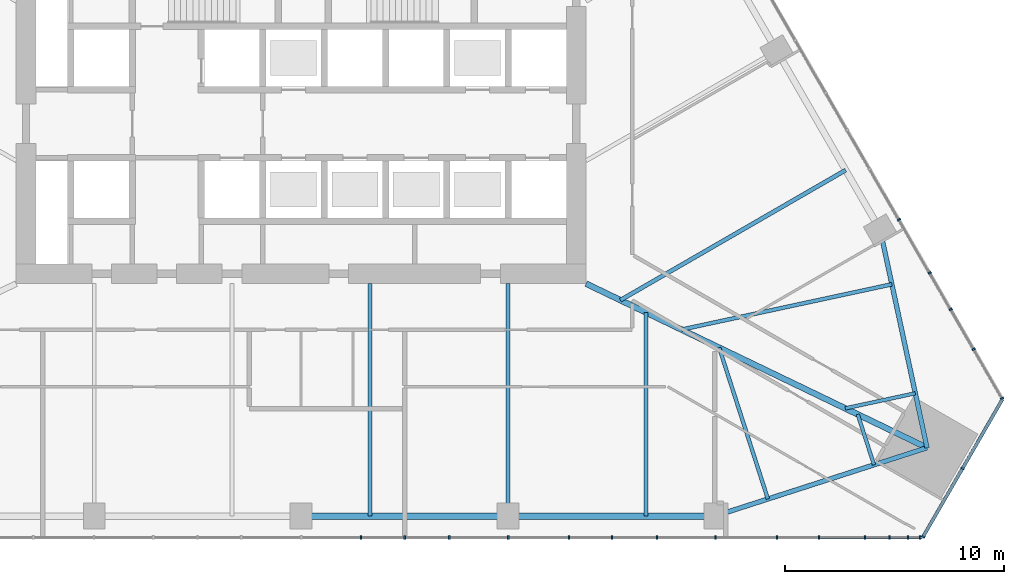
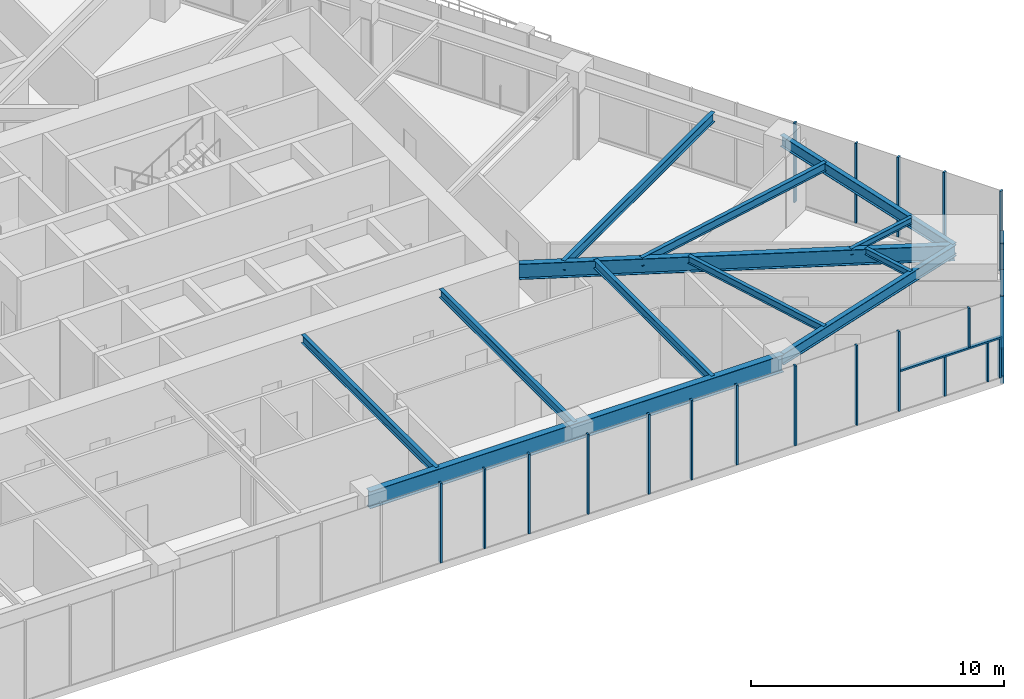
# One storey, part 6 of 25: 26 members, 12 beams, 3 elements without a shape of their own.
"""IFC4 building model written with IfcOpenShell, lengths in metres."""

from ifc_helpers import new_model, si_unit, direction, frame, origin, origin_2d, place, context, subcontext, project, spatial, rectangle, i_section, extrude, material, layer, layer_set, material_profile, profile_set, type_object, element, aggregate, save


model = new_model("IFC4")

# Units and contexts
model_context = context("Model", 3, precision=1e-05, world=origin(), true_north=direction((0.0, 1.0)))
body_context = subcontext(model_context, "Body", "Model", "MODEL_VIEW")
ifc_project = project(units=[si_unit("LENGTHUNIT", "METRE"), si_unit("AREAUNIT", "SQUARE_METRE"), si_unit("VOLUMEUNIT", "CUBIC_METRE"), si_unit("PLANEANGLEUNIT", "RADIAN"), si_unit("MASSUNIT", "GRAM", prefix="KILO")], contexts=[model_context])

# Site, building, storey
site_placement = place(None, origin())
site = spatial("IfcSite", under=ifc_project, at=site_placement, CompositionType="ELEMENT")
building_placement = place(site_placement, origin())
building = spatial("IfcBuilding", under=site, at=building_placement, Name="Firuza Gate Tower and Library", CompositionType="ELEMENT")
storey_placement = place(building_placement, frame((0.0, 0.0, 86.199951171875)))
storey = spatial("IfcBuildingStorey", under=building, at=storey_placement, Name="L19", CompositionType="ELEMENT", Elevation=86.199951171875)

# Curtain wall, members
ifc_material_1 = material(Name="Aluminium 6063-T6", Category="aluminium")
ifc_layer_1 = layer(ifc_material_1, 0.14990234375)
ifc_layer_set_1 = layer_set([ifc_layer_1], Name="Unitised curtain wall, offices")
curtain_wall_type_1 = type_object("IfcCurtainWallType", Name="Unitised curtain wall, offices", PredefinedType="NOTDEFINED", material=ifc_layer_set_1)
placement = place(storey_placement, origin())
curtain_wall_1 = element("IfcCurtainWall", 1, at=placement, inside=storey, type_object=curtain_wall_type_1, Name="CW1 L19 S face", PredefinedType="NOTDEFINED")
ifc_material_2 = material(Name="Aluminium 6063-T6", Category="aluminium")
ifc_material_profile_1 = material_profile(ifc_material_2, rectangle(XDim=0.14990234375, YDim=0.080078125, at=origin_2d()))
ifc_profile_set_1 = profile_set([ifc_material_profile_1], Name="Aluminium 6063-T6")
member_type_1 = type_object("IfcMemberType", Name="Curtain wall mullion 80x150", PredefinedType="MULLION", material=ifc_profile_set_1)
member_1_placement = place(storey_placement, frame((79.725341796875, 54.42431640625, 0.150146484375), z_axis=(0.0, 0.0, 1.0), x_axis=(0.0, 1.0, 0.0)))
member_1 = element("IfcMember", 2, at=member_1_placement, type_object=member_type_1, Name="Mullion", PredefinedType="MULLION", context=body_context, shape_type="SweptSolid", body=[
    extrude(rectangle(XDim=0.14990234375, YDim=0.080078125, at=origin_2d()), origin(), (0.0, 0.0, 1.0), 3.849853515625),
])
member_2_placement = place(storey_placement, frame((84.45068359375, 54.42431640625, 0.150146484375), z_axis=(0.0, 0.0, 1.0), x_axis=(0.0, 1.0, 0.0)))
member_2 = element("IfcMember", 3, at=member_2_placement, type_object=member_type_1, Name="Mullion", PredefinedType="MULLION", context=body_context, shape_type="SweptSolid", body=[
    extrude(rectangle(XDim=0.14990234375, YDim=0.080078125, at=origin_2d()), origin(), (0.0, 0.0, 1.0), 3.849853515625),
])
member_3_placement = place(storey_placement, frame((89.17578125, 54.42431640625, 0.150146484375), z_axis=(0.0, 0.0, 1.0), x_axis=(0.0, 1.0, 0.0)))
member_3 = element("IfcMember", 4, at=member_3_placement, type_object=member_type_1, Name="Mullion", PredefinedType="MULLION", context=body_context, shape_type="SweptSolid", body=[
    extrude(rectangle(XDim=0.14990234375, YDim=0.080078125, at=origin_2d()), origin(), (0.0, 0.0, 1.0), 3.849853515625),
])
member_4_placement = place(storey_placement, frame((93.901123046875, 54.42431640625, 0.150146484375), z_axis=(0.0, 0.0, 1.0), x_axis=(0.0, 1.0, 0.0)))
member_4 = element("IfcMember", 5, at=member_4_placement, type_object=member_type_1, Name="Mullion", PredefinedType="MULLION", context=body_context, shape_type="SweptSolid", body=[
    extrude(rectangle(XDim=0.14990234375, YDim=0.080078125, at=origin_2d()), origin(), (0.0, 0.0, 1.0), 3.849853515625),
])
member_5_placement = place(storey_placement, frame((98.62646484375, 54.42431640625, 0.150146484375), z_axis=(0.0, 0.0, 1.0), x_axis=(0.0, 1.0, 0.0)))
member_5 = element("IfcMember", 6, at=member_5_placement, type_object=member_type_1, Name="Mullion", PredefinedType="MULLION", context=body_context, shape_type="SweptSolid", body=[
    extrude(rectangle(XDim=0.14990234375, YDim=0.080078125, at=origin_2d()), origin(), (0.0, 0.0, 1.0), 3.849853515625),
])
member_6_placement = place(storey_placement, frame((77.733642578125, 54.42431640625, 0.150146484375), z_axis=(0.0, 0.0, 1.0), x_axis=(0.0, 1.0, 0.0)))
member_6 = element("IfcMember", 7, at=member_6_placement, type_object=member_type_1, Name="Mullion", PredefinedType="MULLION", context=body_context, shape_type="SweptSolid", body=[
    extrude(rectangle(XDim=0.14990234375, YDim=0.080078125, at=origin_2d()), origin(), (0.0, 0.0, 1.0), 3.849853515625),
])
member_7_placement = place(storey_placement, frame((81.751708984375, 54.42431640625, 0.150146484375), z_axis=(0.0, 0.0, 1.0), x_axis=(0.0, 1.0, 0.0)))
member_7 = element("IfcMember", 8, at=member_7_placement, type_object=member_type_1, Name="Mullion", PredefinedType="MULLION", context=body_context, shape_type="SweptSolid", body=[
    extrude(rectangle(XDim=0.14990234375, YDim=0.080078125, at=origin_2d()), origin(), (0.0, 0.0, 1.0), 3.849853515625),
])
member_8_placement = place(storey_placement, frame((87.21875, 54.42431640625, 0.150146484375), z_axis=(0.0, 0.0, 1.0), x_axis=(0.0, 1.0, 0.0)))
member_8 = element("IfcMember", 9, at=member_8_placement, type_object=member_type_1, Name="Mullion", PredefinedType="MULLION", context=body_context, shape_type="SweptSolid", body=[
    extrude(rectangle(XDim=0.14990234375, YDim=0.080078125, at=origin_2d()), origin(), (0.0, 0.0, 1.0), 3.849853515625),
])
member_9_placement = place(storey_placement, frame((91.237060546875, 54.42431640625, 0.150146484375), z_axis=(0.0, 0.0, 1.0), x_axis=(0.0, 1.0, 0.0)))
member_9 = element("IfcMember", 10, at=member_9_placement, type_object=member_type_1, Name="Mullion", PredefinedType="MULLION", context=body_context, shape_type="SweptSolid", body=[
    extrude(rectangle(XDim=0.14990234375, YDim=0.080078125, at=origin_2d()), origin(), (0.0, 0.0, 1.0), 3.849853515625),
])
member_10_placement = place(storey_placement, frame((96.7041015625, 54.42431640625, 0.150146484375), z_axis=(0.0, 0.0, 1.0), x_axis=(0.0, 1.0, 0.0)))
member_10 = element("IfcMember", 11, at=member_10_placement, type_object=member_type_1, Name="Mullion", PredefinedType="MULLION", context=body_context, shape_type="SweptSolid", body=[
    extrude(rectangle(XDim=0.14990234375, YDim=0.080078125, at=origin_2d()), origin(), (0.0, 0.0, 1.0), 3.849853515625),
])
member_11_placement = place(storey_placement, frame((100.722412109375, 54.42431640625, 0.150146484375), z_axis=(0.0, 0.0, 1.0), x_axis=(0.0, 1.0, 0.0)))
member_11 = element("IfcMember", 12, at=member_11_placement, type_object=member_type_1, Name="Mullion", PredefinedType="MULLION", context=body_context, shape_type="SweptSolid", body=[
    extrude(rectangle(XDim=0.14990234375, YDim=0.080078125, at=origin_2d()), origin(), (0.0, 0.0, 1.0), 1.885009765625),
])
member_12_placement = place(storey_placement, frame((102.680419921875, 54.42431640625, 0.150146484375), z_axis=(0.0, 0.0, 1.0), x_axis=(0.0, 1.0, 0.0)))
member_12 = element("IfcMember", 13, at=member_12_placement, type_object=member_type_1, Name="Mullion", PredefinedType="MULLION", context=body_context, shape_type="SweptSolid", body=[
    extrude(rectangle(XDim=0.14990234375, YDim=0.080078125, at=origin_2d()), origin(), (0.0, 0.0, 1.0), 1.885009765625),
])
member_13_placement = place(storey_placement, frame((103.233154296875, 54.42431640625, 0.150146484375), z_axis=(0.0, 0.0, 1.0), x_axis=(0.0, 1.0, 0.0)))
member_13 = element("IfcMember", 14, at=member_13_placement, type_object=member_type_1, Name="Mullion", PredefinedType="MULLION", context=body_context, shape_type="SweptSolid", body=[
    extrude(rectangle(XDim=0.14990234375, YDim=0.080078125, at=origin_2d()), origin(), (0.0, 0.0, 1.0), 1.885009765625),
])
member_14_placement = place(storey_placement, frame((101.831787109375, 54.42431640625, 2.114990234375), z_axis=(0.0, 0.0, 1.0), x_axis=(0.0, 1.0, 0.0)))
member_14 = element("IfcMember", 15, at=member_14_placement, type_object=member_type_1, Name="Mullion", PredefinedType="MULLION", context=body_context, shape_type="SweptSolid", body=[
    extrude(rectangle(XDim=0.14990234375, YDim=0.080078125, at=origin_2d()), origin(), (0.0, 0.0, 1.0), 1.885009765625),
])

ifc_material_3 = material(Name="Aluminium 6063-T6", Category="aluminium")
ifc_layer_2 = layer(ifc_material_3, 0.14990234375)
ifc_layer_set_2 = layer_set([ifc_layer_2], Name="Corner curtain wall, chamfers")
curtain_wall_type_2 = type_object("IfcCurtainWallType", Name="Corner curtain wall, chamfers", PredefinedType="NOTDEFINED", material=ifc_layer_set_2)
curtain_wall_2 = element("IfcCurtainWall", 16, at=placement, inside=storey, type_object=curtain_wall_type_2, Name="CW4 L19 SE corner", PredefinedType="NOTDEFINED")
member_15_placement = place(storey_placement, frame((103.371826171875, 54.458740234375, 0.150146484375), z_axis=(0.0, 0.0, 1.0), x_axis=(-0.866025403784, 0.5, 0.0)))
member_15 = element("IfcMember", 17, at=member_15_placement, type_object=member_type_1, Name="Mullion", PredefinedType="MULLION", context=body_context, shape_type="SweptSolid", body=[
    extrude(rectangle(XDim=0.14990234375, YDim=0.080078125, at=origin_2d()), origin(), (0.0, 0.0, 1.0), 3.849853515625),
])
member_16_placement = place(storey_placement, frame((105.17333984375, 57.579345703125, 0.150146484375), z_axis=(0.0, 0.0, 1.0), x_axis=(-0.866025403784, 0.5, 0.0)))
member_16 = element("IfcMember", 18, at=member_16_placement, type_object=member_type_1, Name="Mullion", PredefinedType="MULLION", context=body_context, shape_type="SweptSolid", body=[
    extrude(rectangle(XDim=0.14990234375, YDim=0.080078125, at=origin_2d()), origin(), (0.0, 0.0, 1.0), 3.849853515625),
])

curtain_wall_3 = element("IfcCurtainWall", 19, at=placement, inside=storey, type_object=curtain_wall_type_1, Name="CW1 L19 E face", PredefinedType="NOTDEFINED")
member_17_placement = place(storey_placement, frame((106.97509765625, 60.769287109375, 0.150146484375), z_axis=(0.0, 0.0, 1.0), x_axis=(-0.866025403784, -0.5, 0.0)))
member_17 = element("IfcMember", 20, at=member_17_placement, type_object=member_type_1, Name="Mullion", PredefinedType="MULLION", context=body_context, shape_type="SweptSolid", body=[
    extrude(rectangle(XDim=0.14990234375, YDim=0.080078125, at=origin_2d()), origin(), (0.0, 0.0, 1.0), 3.849853515625),
])
member_18_placement = place(storey_placement, frame((104.63232421875, 64.826904296875, 0.150146484375), z_axis=(0.0, 0.0, 1.0), x_axis=(-0.866025403784, -0.5, 0.0)))
member_18 = element("IfcMember", 21, at=member_18_placement, type_object=member_type_1, Name="Mullion", PredefinedType="MULLION", context=body_context, shape_type="SweptSolid", body=[
    extrude(rectangle(XDim=0.14990234375, YDim=0.080078125, at=origin_2d()), origin(), (0.0, 0.0, 1.0), 3.849853515625),
])
member_19_placement = place(storey_placement, frame((102.269775390625, 68.9189453125, 0.150146484375), z_axis=(0.0, 0.0, 1.0), x_axis=(-0.866025403784, -0.5, 0.0)))
member_19 = element("IfcMember", 22, at=member_19_placement, type_object=member_type_1, Name="Mullion", PredefinedType="MULLION", context=body_context, shape_type="SweptSolid", body=[
    extrude(rectangle(XDim=0.14990234375, YDim=0.080078125, at=origin_2d()), origin(), (0.0, 0.0, 1.0), 3.849853515625),
])
member_20_placement = place(storey_placement, frame((105.680419921875, 63.01171875, 0.150146484375), z_axis=(0.0, 0.0, 1.0), x_axis=(-0.866025403784, -0.5, 0.0)))
member_20 = element("IfcMember", 23, at=member_20_placement, type_object=member_type_1, Name="Mullion", PredefinedType="MULLION", context=body_context, shape_type="SweptSolid", body=[
    extrude(rectangle(XDim=0.14990234375, YDim=0.080078125, at=origin_2d()), origin(), (0.0, 0.0, 1.0), 3.849853515625),
])
member_21_placement = place(storey_placement, frame((103.671142578125, 66.491455078125, 0.150146484375), z_axis=(0.0, 0.0, 1.0), x_axis=(-0.866025403784, -0.5, 0.0)))
member_21 = element("IfcMember", 24, at=member_21_placement, type_object=member_type_1, Name="Mullion", PredefinedType="MULLION", context=body_context, shape_type="SweptSolid", body=[
    extrude(rectangle(XDim=0.14990234375, YDim=0.080078125, at=origin_2d()), origin(), (0.0, 0.0, 1.0), 3.849853515625),
])
aggregate(curtain_wall_3, [member_17, member_18, member_19, member_20, member_21])

# Member
ifc_material_4 = material(Name="Aluminium 6063-T6", Category="aluminium")
ifc_material_profile_2 = material_profile(ifc_material_4, rectangle(XDim=0.14990234375, YDim=0.35009765625, at=origin_2d()))
ifc_profile_set_2 = profile_set([ifc_material_profile_2], Name="Aluminium 6063-T6")
member_type_2 = type_object("IfcMemberType", Name="Curtain wall transom 350x150", PredefinedType="USERDEFINED", material=ifc_profile_set_2)
member_22_placement = place(storey_placement, frame((103.351806640625, 54.42431640625, -0.02490234375), z_axis=(0.500005719219, 0.866022101766, 0.0), x_axis=(-0.866022101766, 0.500005719219, 0.0)))
member_22 = element("IfcMember", 25, at=member_22_placement, type_object=member_type_2, Name="Transom", ObjectType="TRANSOM", PredefinedType="USERDEFINED", context=body_context, shape_type="SweptSolid", body=[
    extrude(rectangle(XDim=0.14990234375, YDim=0.35009765625, at=origin_2d()), origin(), (0.0, 0.0, 1.0), 7.28662109375),
])

ifc_material_5 = material(Name="Aluminium 6063-T6", Category="aluminium")
ifc_material_profile_3 = material_profile(ifc_material_5, rectangle(XDim=0.14990234375, YDim=0.080078125, at=origin_2d()))
ifc_profile_set_3 = profile_set([ifc_material_profile_3], Name="Aluminium 6063-T6")
member_type_3 = type_object("IfcMemberType", Name="Curtain wall transom 80x150", PredefinedType="USERDEFINED", material=ifc_profile_set_3)
member_23_placement = place(storey_placement, frame((98.66650390625, 54.42431640625, 2.074951171875), z_axis=(1.0, 0.0, 0.0), x_axis=(0.0, 1.0, 0.0)))
member_23 = element("IfcMember", 26, at=member_23_placement, type_object=member_type_3, Name="Transom", ObjectType="TRANSOM", PredefinedType="USERDEFINED", context=body_context, shape_type="SweptSolid", body=[
    extrude(rectangle(XDim=0.14990234375, YDim=0.080078125, at=origin_2d()), origin(), (0.0, 0.0, 1.0), 4.645263671875),
])

aggregate(curtain_wall_1, [member_1, member_2, member_3, member_4, member_5, member_6, member_7, member_8, member_9, member_10, member_11, member_12, member_13, member_14, member_23])

member_24_placement = place(storey_placement, frame((103.371826171875, 54.458740234375, 1.449951171875), z_axis=(0.49996364809, 0.866046390552, 0.0), x_axis=(-0.866046390552, 0.49996364809, 0.0)))
member_24 = element("IfcMember", 27, at=member_24_placement, type_object=member_type_3, Name="Transom", ObjectType="TRANSOM", PredefinedType="USERDEFINED", context=body_context, shape_type="SweptSolid", body=[
    extrude(rectangle(XDim=0.14990234375, YDim=0.080078125, at=origin_2d()), origin(), (0.0, 0.0, 1.0), 3.563232421875),
])

member_25_placement = place(storey_placement, frame((103.371826171875, 54.458740234375, 2.72509765625), z_axis=(0.49996364809, 0.866046390552, 0.0), x_axis=(-0.866046390552, 0.49996364809, 0.0)))
member_25 = element("IfcMember", 28, at=member_25_placement, type_object=member_type_3, Name="Transom", ObjectType="TRANSOM", PredefinedType="USERDEFINED", context=body_context, shape_type="SweptSolid", body=[
    extrude(rectangle(XDim=0.14990234375, YDim=0.080078125, at=origin_2d()), origin(), (0.0, 0.0, 1.0), 3.563232421875),
])

member_26_placement = place(storey_placement, frame((105.193359375, 57.614013671875, 2.074951171875), z_axis=(0.500015035186, 0.866016723041, 0.0), x_axis=(-0.866016723041, 0.500015035186, 0.0)))
member_26 = element("IfcMember", 29, at=member_26_placement, type_object=member_type_3, Name="Transom", ObjectType="TRANSOM", PredefinedType="USERDEFINED", context=body_context, shape_type="SweptSolid", body=[
    extrude(rectangle(XDim=0.14990234375, YDim=0.080078125, at=origin_2d()), origin(), (0.0, 0.0, 1.0), 3.5634765625),
])

aggregate(curtain_wall_2, [member_15, member_16, member_22, member_24, member_25, member_26])

# Beams
ifc_material_6 = material(Name="Steel S355", Category="steel")
ifc_material_profile_4 = material_profile(ifc_material_6, i_section(OverallWidth=0.1650390625, OverallDepth=0.31005859375, WebThickness=0.005859375, FlangeThickness=0.009765625, at=origin_2d()))
ifc_profile_set_4 = profile_set([ifc_material_profile_4], Name="Steel S355")
beam_type_1 = type_object("IfcBeamType", Name="W310x39 Floor beam", PredefinedType="JOIST", material=ifc_profile_set_4)
beam_1_placement = place(storey_placement, frame((101.13037109375, 57.737548828125, 3.844970703125), z_axis=(-0.306695801179, 0.951807588507, 0.0), x_axis=(-0.951807588507, -0.306695801179, 0.0)))
element("IfcBeam", 30, at=beam_1_placement, inside=storey, type_object=beam_type_1, Name="Floor beam L19 s31", PredefinedType="JOIST", context=body_context, shape_type="SweptSolid", body=[
    extrude(i_section(OverallWidth=0.1650390625, OverallDepth=0.31005859375, WebThickness=0.005859375, FlangeThickness=0.009765625, at=origin_2d()), origin(), (0.0, 0.0, 1.0), 2.416748046875),
])
beam_2_placement = place(storey_placement, frame((103.014892578125, 61.001708984375, 3.844970703125), z_axis=(-0.977627361997, -0.210344339297, 0.0), x_axis=(0.210344339297, -0.977627361997, 0.0)))
element("IfcBeam", 31, at=beam_2_placement, inside=storey, type_object=beam_type_1, Name="Floor beam L19 s40", PredefinedType="JOIST", context=body_context, shape_type="SweptSolid", body=[
    extrude(i_section(OverallWidth=0.1650390625, OverallDepth=0.31005859375, WebThickness=0.005859375, FlangeThickness=0.009765625, at=origin_2d()), origin(), (0.0, 0.0, 1.0), 3.27197265625),
])
ifc_material_7 = material(Name="Steel S355", Category="steel")
ifc_material_profile_5 = material_profile(ifc_material_7, i_section(OverallWidth=0.1708984375, OverallDepth=0.35498046875, WebThickness=0.007080078125, FlangeThickness=0.01171875, at=origin_2d()))
ifc_profile_set_5 = profile_set([ifc_material_profile_5], Name="Steel S355")
beam_type_2 = type_object("IfcBeamType", Name="W360x51 Floor beam", PredefinedType="JOIST", material=ifc_profile_set_5)
beam_3_placement = place(storey_placement, frame((96.29150390625, 56.1787109375, 3.822509765625), z_axis=(-0.306634787588, 0.951827246427, 0.0), x_axis=(-0.951827246427, -0.306634787588, 0.0)))
element("IfcBeam", 32, at=beam_3_placement, inside=storey, type_object=beam_type_2, Name="Floor beam L19 s30", PredefinedType="JOIST", context=body_context, shape_type="SweptSolid", body=[
    extrude(i_section(OverallWidth=0.1708984375, OverallDepth=0.35498046875, WebThickness=0.007080078125, FlangeThickness=0.01171875, at=origin_2d()), origin(), (0.0, 0.0, 1.0), 7.250244140625),
])
ifc_material_8 = material(Name="Steel S355", Category="steel")
ifc_material_profile_6 = material_profile(ifc_material_8, i_section(OverallWidth=0.177978515625, OverallDepth=0.406982421875, WebThickness=0.0078125, FlangeThickness=0.0126953125, at=origin_2d()))
ifc_profile_set_6 = profile_set([ifc_material_profile_6], Name="Steel S355")
beam_type_3 = type_object("IfcBeamType", Name="W410x60 Floor beam", PredefinedType="JOIST", material=ifc_profile_set_6)
for number, where, z_axis, x_axis, name in (
    (33, (78.145263671875, 55.399169921875, 3.796630859375), (0.0, 1.0, 0.0), (-1.0, 0.0, 0.0), "Floor beam L19 s23"),
    (34, (84.43603515625, 55.399169921875, 3.796630859375), (0.0, 1.0, 0.0), (-1.0, 0.0, 0.0), "Floor beam L19 s24"),
):
    element("IfcBeam", number, at=place(storey_placement, frame(where, z_axis=z_axis, x_axis=x_axis)), inside=storey, type_object=beam_type_3, Name=name, PredefinedType="JOIST", context=body_context, shape_type="SweptSolid", body=[
        extrude(i_section(OverallWidth=0.177978515625, OverallDepth=0.406982421875, WebThickness=0.0078125, FlangeThickness=0.0126953125, at=origin_2d()), origin(), (0.0, 0.0, 1.0), 10.600830078125),
    ])
beam_4_placement = place(storey_placement, frame((90.726806640625, 55.399169921875, 3.796630859375), z_axis=(0.0, 1.0, 0.0), x_axis=(-1.0, 0.0, 0.0)))
element("IfcBeam", 35, at=beam_4_placement, inside=storey, type_object=beam_type_3, Name="Floor beam L19 s25", PredefinedType="JOIST", context=body_context, shape_type="SweptSolid", body=[
    extrude(i_section(OverallWidth=0.177978515625, OverallDepth=0.406982421875, WebThickness=0.0078125, FlangeThickness=0.0126953125, at=origin_2d()), origin(), (0.0, 0.0, 1.0), 9.28857421875),
])
beam_5_placement = place(storey_placement, frame((101.945556640625, 65.9716796875, 3.796630859375), z_axis=(-0.977627361997, -0.210344339297, 0.0), x_axis=(0.210344339297, -0.977627361997, 0.0)))
element("IfcBeam", 36, at=beam_5_placement, inside=storey, type_object=beam_type_3, Name="Floor beam L19 s41", PredefinedType="JOIST", context=body_context, shape_type="SweptSolid", body=[
    extrude(i_section(OverallWidth=0.177978515625, OverallDepth=0.406982421875, WebThickness=0.0078125, FlangeThickness=0.0126953125, at=origin_2d()), origin(), (0.0, 0.0, 1.0), 9.81591796875),
])
ifc_material_9 = material(Name="Steel S355", Category="steel")
ifc_material_profile_7 = material_profile(ifc_material_9, i_section(OverallWidth=0.18994140625, OverallDepth=0.45703125, WebThickness=0.009033203125, FlangeThickness=0.014404296875, at=origin_2d()))
ifc_profile_set_7 = profile_set([ifc_material_profile_7], Name="Steel S355")
beam_type_4 = type_object("IfcBeamType", Name="W460x74 Floor beam", PredefinedType="JOIST", material=ifc_profile_set_7)
beam_6_placement = place(storey_placement, frame((99.838134765625, 71.180419921875, 3.771484375), z_axis=(-0.866030020257, -0.49999200395, 0.0), x_axis=(0.49999200395, -0.866030020257, 0.0)))
element("IfcBeam", 37, at=beam_6_placement, inside=storey, type_object=beam_type_4, Name="Floor beam L19 s50", PredefinedType="JOIST", context=body_context, shape_type="SweptSolid", body=[
    extrude(i_section(OverallWidth=0.18994140625, OverallDepth=0.45703125, WebThickness=0.009033203125, FlangeThickness=0.014404296875, at=origin_2d()), origin(), (0.0, 0.0, 1.0), 11.864990234375),
])
ifc_material_10 = material(Name="Steel S355", Category="steel")
ifc_material_profile_8 = material_profile(ifc_material_10, i_section(OverallWidth=0.212890625, OverallDepth=0.5390625, WebThickness=0.01171875, FlangeThickness=0.018798828125, at=origin_2d()))
ifc_profile_set_8 = profile_set([ifc_material_profile_8], Name="Steel S355")
beam_type_5 = type_object("IfcBeamType", Name="W530x109 Edge beam", PredefinedType="SPANDREL", material=ifc_profile_set_8)
beam_7_placement = place(storey_placement, frame((93.872314453125, 55.399169921875, 3.73046875), z_axis=(0.951823975447, 0.306644940876, 0.0), x_axis=(-0.306644940876, 0.951823975447, 0.0)))
element("IfcBeam", 38, at=beam_7_placement, inside=storey, type_object=beam_type_5, Name="Edge beam L19 e30", PredefinedType="SPANDREL", context=body_context, shape_type="SweptSolid", body=[
    extrude(i_section(OverallWidth=0.212890625, OverallDepth=0.5390625, WebThickness=0.01171875, FlangeThickness=0.018798828125, at=origin_2d()), origin(), (0.0, 0.0, 1.0), 10.1669921875),
])
beam_8_placement = place(storey_placement, frame((103.549560546875, 58.516845703125, 3.73046875), z_axis=(-0.210350597959, 0.977626015375, 0.0), x_axis=(-0.977626015375, -0.210350597959, 0.0)))
element("IfcBeam", 39, at=beam_8_placement, inside=storey, type_object=beam_type_5, Name="Edge beam L19 e40", PredefinedType="SPANDREL", context=body_context, shape_type="SweptSolid", body=[
    extrude(i_section(OverallWidth=0.212890625, OverallDepth=0.5390625, WebThickness=0.01171875, FlangeThickness=0.018798828125, at=origin_2d()), origin(), (0.0, 0.0, 1.0), 10.167236328125),
])
ifc_material_11 = material(Name="Steel S355", Category="steel")
ifc_material_profile_9 = material_profile(ifc_material_11, i_section(OverallWidth=0.264892578125, OverallDepth=0.7529296875, WebThickness=0.01318359375, FlangeThickness=0.01708984375, at=origin_2d()))
ifc_profile_set_9 = profile_set([ifc_material_profile_9], Name="Steel S355")
beam_type_6 = type_object("IfcBeamType", Name="W760x147 Girder", PredefinedType="BEAM", material=ifc_profile_set_9)
beam_9_placement = place(storey_placement, frame((103.549560546875, 58.516845703125, 3.62353515625), z_axis=(-0.901084806729, 0.433642907335, 0.0), x_axis=(-0.433642907335, -0.901084806729, 0.0)))
element("IfcBeam", 40, at=beam_9_placement, inside=storey, type_object=beam_type_6, Name="Girder L19 gSE", PredefinedType="BEAM", context=body_context, shape_type="SweptSolid", body=[
    extrude(i_section(OverallWidth=0.264892578125, OverallDepth=0.7529296875, WebThickness=0.01318359375, FlangeThickness=0.01708984375, at=origin_2d()), origin(), (0.0, 0.0, 1.0), 17.256591796875),
])
ifc_material_12 = material(Name="Steel S355", Category="steel")
ifc_material_profile_10 = material_profile(ifc_material_12, i_section(OverallWidth=0.2919921875, OverallDepth=0.8349609375, WebThickness=0.013916015625, FlangeThickness=0.018798828125, at=origin_2d()))
ifc_profile_set_10 = profile_set([ifc_material_profile_10], Name="Steel S355")
beam_type_7 = type_object("IfcBeamType", Name="W840x176 Edge beam", PredefinedType="SPANDREL", material=ifc_profile_set_10)
beam_10_placement = place(storey_placement, frame((75.0, 55.399169921875, 3.58251953125), z_axis=(1.0, 0.0, 0.0), x_axis=(0.0, 1.0, 0.0)))
element("IfcBeam", 41, at=beam_10_placement, inside=storey, type_object=beam_type_7, Name="Edge beam L19 e22", PredefinedType="SPANDREL", context=body_context, shape_type="SweptSolid", body=[
    extrude(i_section(OverallWidth=0.2919921875, OverallDepth=0.8349609375, WebThickness=0.013916015625, FlangeThickness=0.018798828125, at=origin_2d()), origin(), (0.0, 0.0, 1.0), 18.872314453125),
])

save(model, "model.ifc")
